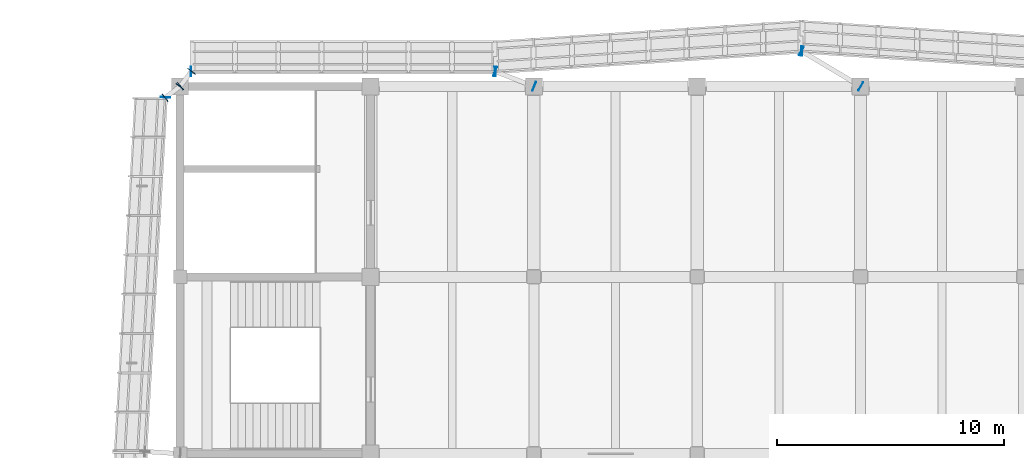
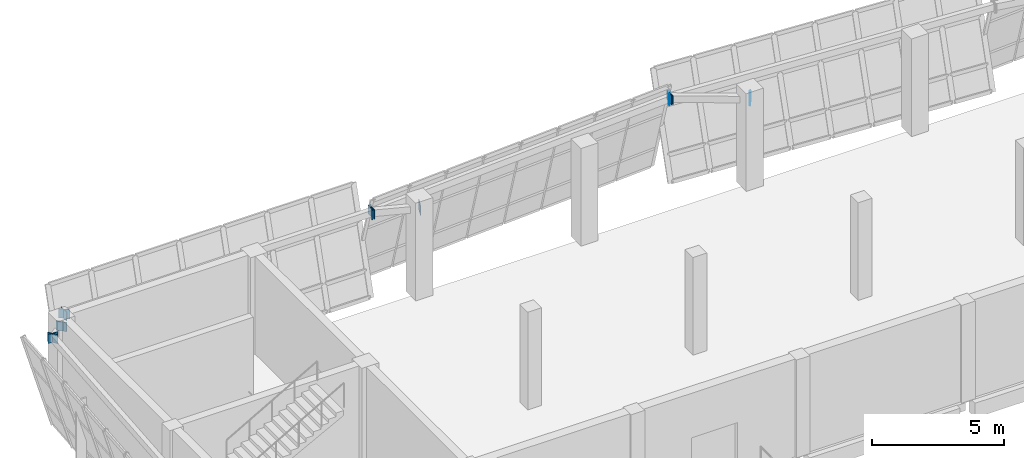
# One storey, part 53 of 71: 14 plates.
"""IFC4 building model written with IfcOpenShell, lengths in metres."""

from ifc_helpers import new_model, si_unit, direction, frame, origin, origin_2d, place, context, subcontext, project, spatial, rectangle, extrude, material, layer, layer_set, type_object, element, save


model = new_model("IFC4")

# Units and contexts
model_context = context("Model", 3, precision=1e-05, world=origin(), true_north=direction((0.0, 1.0)))
body_context = subcontext(model_context, "Body", "Model", "MODEL_VIEW")
ifc_project = project(units=[si_unit("LENGTHUNIT", "METRE"), si_unit("AREAUNIT", "SQUARE_METRE"), si_unit("VOLUMEUNIT", "CUBIC_METRE"), si_unit("PLANEANGLEUNIT", "RADIAN"), si_unit("MASSUNIT", "GRAM", prefix="KILO")], contexts=[model_context])

# Site, building, storey
site_placement = place(None, origin())
site = spatial("IfcSite", under=ifc_project, at=site_placement, CompositionType="ELEMENT")
building_placement = place(site_placement, origin())
building = spatial("IfcBuilding", under=site, at=building_placement, Name="Pellamere Symphony Hall", CompositionType="ELEMENT")
storey_placement = place(building_placement, frame((0.0, 0.0, 15.0)))
storey = spatial("IfcBuildingStorey", under=building, at=storey_placement, Name="L03", CompositionType="ELEMENT", Elevation=15.0)

# Plates
ifc_material = material(Name="Steel CSA G40.21 350W", Category="steel")
ifc_layer = layer(ifc_material, 0.02490234375, Name="Steel CSA G40.21 350W")
ifc_layer_set = layer_set([ifc_layer], Name="Steel CSA G40.21 350W")
plate_type = type_object("IfcPlateType", Name="Steel Connection Plate KP-01 420x420x25", PredefinedType="SHEET", material=ifc_layer_set)
for number, where, z_axis, x_axis, name in (
    (1, (77.7880859375, 95.15087890625, 3.72998046875), (0.0, 0.0, 1.0), (-0.997813020072, 0.066099750182, 0.0), "Crystal Spandrel End Cap Plate CW-CR12-2 (L03)"),
    (2, (80.410400390625, 93.593994140625, 3.72998046875), (0.0, 0.0, 1.0), (-0.858959896931, 0.512042864871, 0.0), "Outrigger End Cap Plate 066.1 (L03)"),
    (3, (77.789794921875, 95.156005859375, 3.72998046875), (0.0, 0.0, 1.0), (-0.858959896931, 0.512042864871, 0.0), "Outrigger End Cap Plate 066.2 (L03)"),
    (4, (77.81201171875, 95.15087890625, 3.72998046875), (0.0, 0.0, 1.0), (-0.997789886117, -0.066448048599, 0.0), "Crystal Spandrel End Cap Plate CW-CR13-1 (L03)"),
    (5, (64.2880859375, 94.249267578125, 3.72998046875), (0.0, 0.0, 1.0), (-0.997789886117, -0.066448048599, 0.0), "Crystal Spandrel End Cap Plate CW-CR13-2 (L03)"),
    (6, (66.01123046875, 93.595703125, 3.72998046875), (0.0, 0.0, 1.0), (-0.934079892355, 0.357064076459, 0.0), "Outrigger End Cap Plate 072.1 (L03)"),
    (7, (64.288818359375, 94.25439453125, 3.72998046875), (0.0, 0.0, 1.0), (-0.934079892355, 0.357064076459, 0.0), "Outrigger End Cap Plate 072.2 (L03)"),
    (8, (64.31201171875, 94.25, 3.72998046875), (0.0, 0.0, 1.0), (-1.0, 0.0, 0.0), "Crystal Spandrel End Cap Plate CW-CR14-1 (L03)"),
    (9, (50.887939453125, 94.25, 3.72998046875), (0.0, 0.0, 1.0), (-1.0, 0.0, 0.0), "Crystal Spandrel End Cap Plate CW-CR14-2 (L03)"),
    (10, (50.392578125, 93.590576171875, 3.72998046875), (0.0, 0.0, 1.0), (0.609730238396, 0.792609005996, 0.0), "Outrigger End Cap Plate 078.1 (L03)"),
    (11, (50.9072265625, 94.259521484375, 3.72998046875), (0.0, 0.0, 1.0), (0.609730238396, 0.792609005996, 0.0), "Outrigger End Cap Plate 078.2 (L03)"),
    (12, (49.750732421875, 93.112060546875, 3.72998046875), (0.0, 0.0, 1.0), (-0.05756402696, -0.998341816614, 0.0), "Crystal Spandrel End Cap Plate CW-CR15-1 (L03)"),
    (13, (50.409423828125, 93.607421875, 3.72998046875), (0.0, 0.0, 1.0), (-0.792609005996, -0.609730238396, 0.0), "Outrigger End Cap Plate 091.1 (L03)"),
    (14, (49.740478515625, 93.0927734375, 3.72998046875), (0.0, 0.0, 1.0), (-0.792609005996, -0.609730238396, 0.0), "Outrigger End Cap Plate 091.2 (L03)"),
):
    element("IfcPlate", number, at=place(storey_placement, frame(where, z_axis=z_axis, x_axis=x_axis)), inside=storey, type_object=plate_type, Name=name, PredefinedType="SHEET", context=body_context, shape_type="SweptSolid", body=[
        extrude(rectangle(XDim=0.02490234375, YDim=0.419921875, at=origin_2d()), origin(), (0.0, 0.0, 1.0), 0.419921875),
    ])

save(model, "model.ifc")
